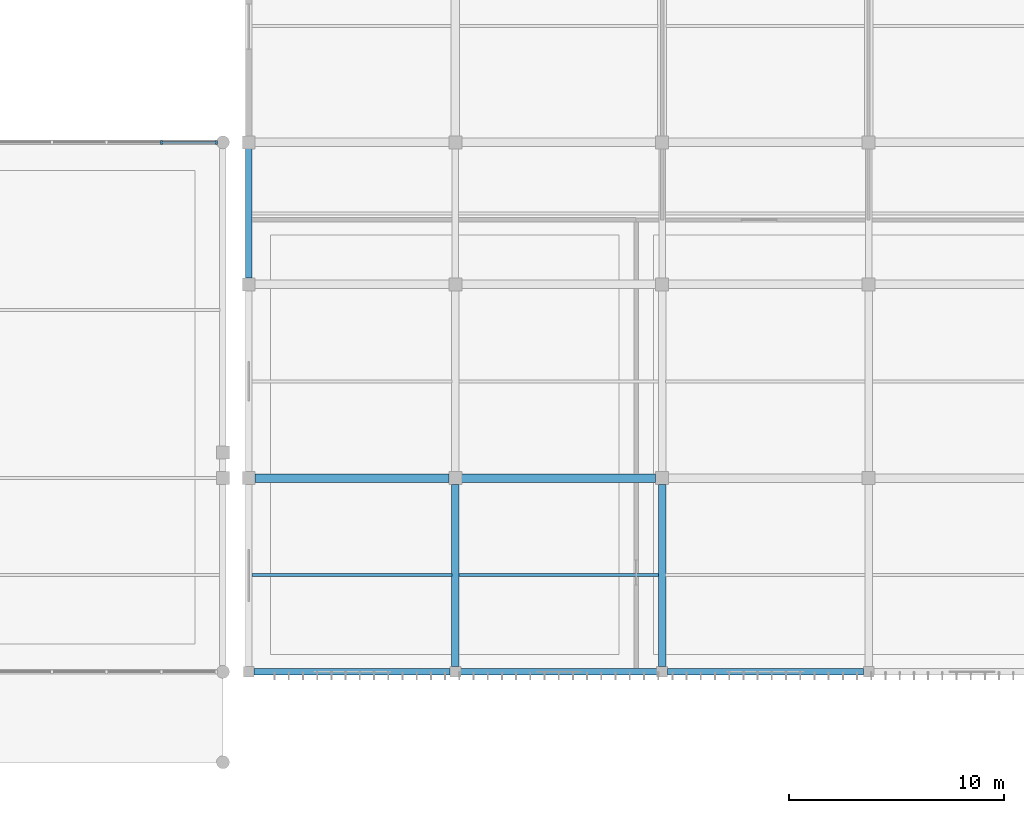
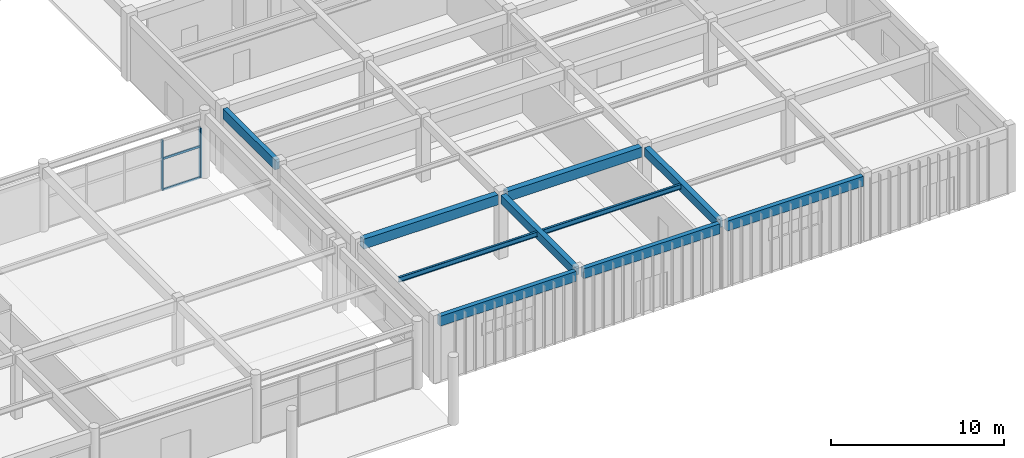
# One storey, part 33 of 82: 10 beams, 4 members, 1 element without a shape of its own.
"""IFC4 building model written with IfcOpenShell, lengths in metres."""

from ifc_helpers import new_model, si_unit, direction, frame, origin, origin_2d, place, context, subcontext, project, spatial, rectangle, i_section, extrude, material, material_profile, profile_set, type_object, element, aggregate, save


model = new_model("IFC4")

# Units and contexts
model_context = context("Model", 3, precision=1e-05, world=origin(), true_north=direction((0.0, 1.0)))
body_context = subcontext(model_context, "Body", "Model", "MODEL_VIEW")
ifc_project = project(units=[si_unit("LENGTHUNIT", "METRE"), si_unit("AREAUNIT", "SQUARE_METRE"), si_unit("VOLUMEUNIT", "CUBIC_METRE"), si_unit("PLANEANGLEUNIT", "RADIAN"), si_unit("MASSUNIT", "GRAM", prefix="KILO")], contexts=[model_context])

# Site, building, storey
site_placement = place(None, origin())
site = spatial("IfcSite", under=ifc_project, at=site_placement, CompositionType="ELEMENT")
building_placement = place(site_placement, origin())
building = spatial("IfcBuilding", under=site, at=building_placement, Name="Suirenkawa Promenade Aquatics Centre", CompositionType="ELEMENT")
storey_placement = place(building_placement, origin())
storey = spatial("IfcBuildingStorey", under=building, at=storey_placement, Name="L00", CompositionType="ELEMENT", Elevation=0.0)

# Beams
ifc_material_1 = material(Name="Steel IS 2062 E350 (Grade 350)", Category="steel")
ifc_material_profile_1 = material_profile(ifc_material_1, i_section(OverallWidth=0.139892578125, OverallDepth=0.35009765625, WebThickness=0.008056640625, FlangeThickness=0.013916015625, at=origin_2d()), Name="ISMB 350", Category="steel")
ifc_profile_set_1 = profile_set([ifc_material_profile_1], Name="Steel IS 2062 E350 (Grade 350)")
beam_type_1 = type_object("IfcBeamType", Name="BT-JOIST-ISMB350", PredefinedType="JOIST", material=ifc_profile_set_1)
beam_1_placement = place(storey_placement, frame((156.14404296875, 8.699951171875, 4.363037109375), z_axis=(1.0, 0.0, 0.0), x_axis=(0.0, 1.0, 0.0)))
element("IfcBeam", 1, at=beam_1_placement, inside=storey, type_object=beam_type_1, Name="Secondary floor joist JS-03 BM-1657", PredefinedType="JOIST", context=body_context, shape_type="SweptSolid", body=[
    extrude(i_section(OverallWidth=0.139892578125, OverallDepth=0.35009765625, WebThickness=0.008056640625, FlangeThickness=0.013916015625, at=origin_2d()), origin(), (0.0, 0.0, 1.0), 9.286865234375),
])
beam_2_placement = place(storey_placement, frame((165.76904296875, 8.699951171875, 4.363037109375), z_axis=(1.0, 0.0, 0.0), x_axis=(0.0, 1.0, 0.0)))
element("IfcBeam", 2, at=beam_2_placement, inside=storey, type_object=beam_type_1, Name="Secondary floor joist JS-03 BM-1661", PredefinedType="JOIST", context=body_context, shape_type="SweptSolid", body=[
    extrude(i_section(OverallWidth=0.139892578125, OverallDepth=0.35009765625, WebThickness=0.008056640625, FlangeThickness=0.013916015625, at=origin_2d()), origin(), (0.0, 0.0, 1.0), 9.261962890625),
])
ifc_material_2 = material(Name="Concrete M35", Category="concrete")
ifc_material_profile_2 = material_profile(ifc_material_2, rectangle(XDim=0.35009765625, YDim=0.60009765625, at=origin_2d()), Name="RC BM 350x600", Category="concrete")
ifc_profile_set_2 = profile_set([ifc_material_profile_2], Name="Concrete M35")
beam_type_2 = type_object("IfcBeamType", Name="BT-RC-350x600", PredefinedType="BEAM", material=ifc_profile_set_2)
for number, where, z_axis, x_axis, name in (
    (3, (165.60009765625, 4.444091796875, 4.239990234375), (0.0, 1.0, 0.0), (-1.0, 0.0, 0.0), "Floor beam BM-02 BM-1638"),
    (4, (175.199951171875, 4.444091796875, 4.239990234375), (0.0, 1.0, 0.0), (-1.0, 0.0, 0.0), "Floor beam BM-02 BM-1642"),
):
    element("IfcBeam", number, at=place(storey_placement, frame(where, z_axis=z_axis, x_axis=x_axis)), inside=storey, type_object=beam_type_2, Name=name, PredefinedType="BEAM", context=body_context, shape_type="SweptSolid", body=[
        extrude(rectangle(XDim=0.35009765625, YDim=0.60009765625, at=origin_2d()), origin(), (0.0, 0.0, 1.0), 8.4619140625),
    ])
ifc_material_profile_3 = material_profile(ifc_material_2, rectangle(XDim=0.39990234375, YDim=0.699951171875, at=origin_2d()), Name="RC BM 400x700", Category="concrete")
ifc_profile_set_3 = profile_set([ifc_material_profile_3], Name="Concrete M35")
beam_type_3 = type_object("IfcBeamType", Name="BT-RC-400x700", PredefinedType="BEAM", material=ifc_profile_set_3)
for number, where, z_axis, x_axis, name in (
    (5, (156.2939453125, 13.199951171875, 4.18994140625), (1.0, 0.0, 0.0), (0.0, 1.0, 0.0), "Floor beam BM-04 BM-1613"),
    (6, (165.89404296875, 13.199951171875, 4.18994140625), (1.0, 0.0, 0.0), (0.0, 1.0, 0.0), "Floor beam BM-04 BM-1614"),
):
    element("IfcBeam", number, at=place(storey_placement, frame(where, z_axis=z_axis, x_axis=x_axis)), inside=storey, type_object=beam_type_3, Name=name, PredefinedType="BEAM", context=body_context, shape_type="SweptSolid", body=[
        extrude(rectangle(XDim=0.39990234375, YDim=0.699951171875, at=origin_2d()), origin(), (0.0, 0.0, 1.0), 9.011962890625),
    ])
ifc_material_3 = material(Name="Concrete M40", Category="concrete")
ifc_material_profile_4 = material_profile(ifc_material_3, rectangle(XDim=0.300048828125, YDim=0.699951171875, at=origin_2d()), Name="RC SPANDREL 300x700", Category="concrete")
ifc_profile_set_4 = profile_set([ifc_material_profile_4], Name="Concrete M40")
beam_type_4 = type_object("IfcBeamType", Name="BT-SPANDREL-300x700", PredefinedType="SPANDREL", material=ifc_profile_set_4)
for number, where, z_axis, x_axis, name in (
    (7, (156.243896484375, 4.199951171875, 4.18994140625), (1.0, 0.0, 0.0), (0.0, 1.0, 0.0), "Floor beam SP-01 BM-1609"),
    (8, (165.843994140625, 4.199951171875, 4.18994140625), (1.0, 0.0, 0.0), (0.0, 1.0, 0.0), "Floor beam SP-01 BM-1610"),
):
    element("IfcBeam", number, at=place(storey_placement, frame(where, z_axis=z_axis, x_axis=x_axis)), inside=storey, type_object=beam_type_4, Name=name, PredefinedType="SPANDREL", context=body_context, shape_type="SweptSolid", body=[
        extrude(rectangle(XDim=0.300048828125, YDim=0.699951171875, at=origin_2d()), origin(), (0.0, 0.0, 1.0), 9.112060546875),
    ])
beam_3_placement = place(storey_placement, frame((175.444091796875, 4.199951171875, 4.18994140625), z_axis=(1.0, 0.0, 0.0), x_axis=(0.0, 1.0, 0.0)))
element("IfcBeam", 9, at=beam_3_placement, inside=storey, type_object=beam_type_4, Name="Floor beam SP-01 BM-1611", PredefinedType="SPANDREL", context=body_context, shape_type="SweptSolid", body=[
    extrude(rectangle(XDim=0.300048828125, YDim=0.699951171875, at=origin_2d()), origin(), (0.0, 0.0, 1.0), 9.11181640625),
])
beam_4_placement = place(storey_placement, frame((156.0, 22.493896484375, 4.18994140625), z_axis=(0.0, 1.0, 0.0), x_axis=(-1.0, 0.0, 0.0)))
element("IfcBeam", 10, at=beam_4_placement, inside=storey, type_object=beam_type_4, Name="Floor beam SP-01 BM-1635", PredefinedType="SPANDREL", context=body_context, shape_type="SweptSolid", body=[
    extrude(rectangle(XDim=0.300048828125, YDim=0.699951171875, at=origin_2d()), origin(), (0.0, 0.0, 1.0), 6.01220703125),
])

# Curtain wall, members
ifc_material_4 = material(Name="Anodised aluminium 6063-T6", Category="aluminium")
curtain_wall_type = type_object("IfcCurtainWallType", Name="CWAT-V3NL0-26", PredefinedType="NOTDEFINED", material=ifc_material_4)
curtain_wall_placement = place(storey_placement, origin())
curtain_wall = element("IfcCurtainWall", 11, at=curtain_wall_placement, inside=storey, type_object=curtain_wall_type, Name="Curtain wall CWA-26 CW-070", PredefinedType="NOTDEFINED")
ifc_material_profile_5 = material_profile(ifc_material_4, rectangle(XDim=0.094970703125, YDim=0.18994140625, at=origin_2d()), Name="ALU MULL 95x190", Category="aluminium")
ifc_profile_set_5 = profile_set([ifc_material_profile_5], Name="Anodised aluminium 6063-T6")
member_type_1 = type_object("IfcMemberType", Name="CWM-190x95", PredefinedType="MULLION", material=ifc_profile_set_5)
member_1_placement = place(storey_placement, frame((151.950439453125, 28.800048828125, 0.0), z_axis=(0.0, 0.0, 1.0), x_axis=(1.0, 0.0, 0.0)))
member_1 = element("IfcMember", 12, at=member_1_placement, type_object=member_type_1, Name="Mullion ML-02 CWM-01412", PredefinedType="MULLION", context=body_context, shape_type="SweptSolid", body=[
    extrude(rectangle(XDim=0.094970703125, YDim=0.18994140625, at=origin_2d()), origin(), (0.0, 0.0, 1.0), 3.52001953125),
])
member_2_placement = place(storey_placement, frame((154.5009765625, 28.800048828125, 0.0), z_axis=(0.0, 0.0, 1.0), x_axis=(1.0, 0.0, 0.0)))
member_2 = element("IfcMember", 13, at=member_2_placement, type_object=member_type_1, Name="Mullion ML-02 CWM-01413", PredefinedType="MULLION", context=body_context, shape_type="SweptSolid", body=[
    extrude(rectangle(XDim=0.094970703125, YDim=0.18994140625, at=origin_2d()), origin(), (0.0, 0.0, 1.0), 3.52001953125),
])
ifc_material_profile_6 = material_profile(ifc_material_4, rectangle(XDim=0.094970703125, YDim=0.14990234375, at=origin_2d()), Name="ALU TRAN 95x150", Category="aluminium")
ifc_profile_set_6 = profile_set([ifc_material_profile_6], Name="Anodised aluminium 6063-T6")
member_type_2 = type_object("IfcMemberType", Name="CWT-150x95", PredefinedType="USERDEFINED", material=ifc_profile_set_6)
member_3_placement = place(storey_placement, frame((151.950439453125, 28.800048828125, 0.0), z_axis=(1.0, 0.0, 0.0), x_axis=(0.0, 1.0, 0.0)))
member_3 = element("IfcMember", 14, at=member_3_placement, type_object=member_type_2, Name="Transom TR-02 CWT-01417", ObjectType="TRANSOM", PredefinedType="USERDEFINED", context=body_context, shape_type="SweptSolid", body=[
    extrude(rectangle(XDim=0.094970703125, YDim=0.14990234375, at=origin_2d()), origin(), (0.0, 0.0, 1.0), 2.550537109375),
])
member_4_placement = place(storey_placement, frame((151.950439453125, 28.800048828125, 2.199951171875), z_axis=(1.0, 0.0, 0.0), x_axis=(0.0, 1.0, 0.0)))
member_4 = element("IfcMember", 15, at=member_4_placement, type_object=member_type_2, Name="Transom TR-02 CWT-01421", ObjectType="TRANSOM", PredefinedType="USERDEFINED", context=body_context, shape_type="SweptSolid", body=[
    extrude(rectangle(XDim=0.094970703125, YDim=0.14990234375, at=origin_2d()), origin(), (0.0, 0.0, 1.0), 2.550537109375),
])
aggregate(curtain_wall, [member_1, member_2, member_3, member_4])

save(model, "model.ifc")
